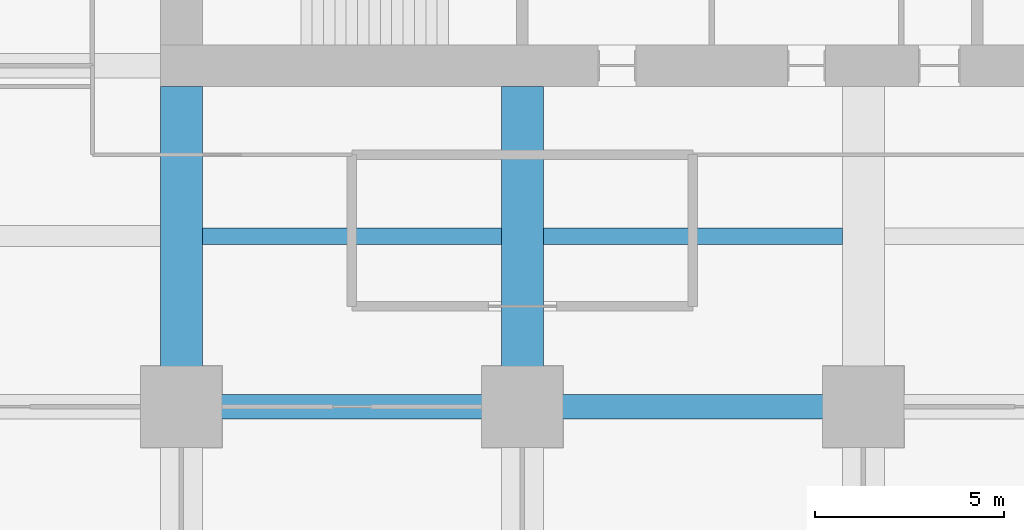
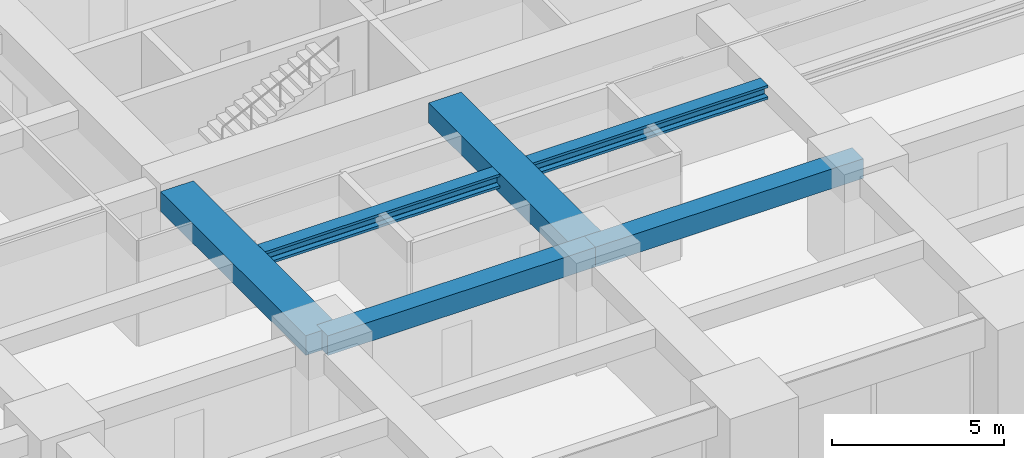
# One storey, part 8 of 44: 6 beams.
"""IFC4 building model written with IfcOpenShell, lengths in metres."""

from ifc_helpers import new_model, si_unit, direction, frame, origin, origin_2d, place, context, subcontext, project, spatial, rectangle, i_section, extrude, material, material_profile, profile_set, type_object, element, save


model = new_model("IFC4")

# Units and contexts
model_context = context("Model", 3, precision=1e-05, world=origin(), true_north=direction((0.0, 1.0)))
body_context = subcontext(model_context, "Body", "Model", "MODEL_VIEW")
ifc_project = project(units=[si_unit("LENGTHUNIT", "METRE"), si_unit("AREAUNIT", "SQUARE_METRE"), si_unit("VOLUMEUNIT", "CUBIC_METRE"), si_unit("PLANEANGLEUNIT", "RADIAN"), si_unit("MASSUNIT", "GRAM", prefix="KILO")], contexts=[model_context])

# Site, building, storey
site_placement = place(None, origin())
site = spatial("IfcSite", under=ifc_project, at=site_placement, CompositionType="ELEMENT")
building_placement = place(site_placement, origin())
building = spatial("IfcBuilding", under=site, at=building_placement, Name="Zorevar Civic Tower", CompositionType="ELEMENT")
storey_placement = place(building_placement, frame((0.0, 0.0, 55.800048828125)))
storey = spatial("IfcBuildingStorey", under=building, at=storey_placement, Name="L13", CompositionType="ELEMENT", Elevation=55.800048828125)

# Beams
ifc_material_1 = material(Name="Concrete C50/60", Category="concrete")
ifc_material_profile_1 = material_profile(ifc_material_1, rectangle(XDim=1.10009765625, YDim=0.699951171875, at=origin_2d()), Name="RC 1100x700")
ifc_profile_set_1 = profile_set([ifc_material_profile_1], Name="Concrete C50/60")
beam_type_1 = type_object("IfcBeamType", Name="Beam RC 1100x700", PredefinedType="BEAM", material=ifc_profile_set_1)
for number, where, z_axis, x_axis, name in (
    (1, (18.0, 9.0, 3.39990234375), (0.0, 1.0, 0.0), (-1.0, 0.0, 0.0), "Girder L14"),
    (2, (27.0, 9.0, 3.39990234375), (0.0, 1.0, 0.0), (-1.0, 0.0, 0.0), "Girder L14"),
):
    element("IfcBeam", number, at=place(storey_placement, frame(where, z_axis=z_axis, x_axis=x_axis)), inside=storey, type_object=beam_type_1, Name=name, PredefinedType="BEAM", context=body_context, shape_type="SweptSolid", body=[
        extrude(rectangle(XDim=1.10009765625, YDim=0.699951171875, at=origin_2d()), origin(), (0.0, 0.0, 1.0), 8.449951171875),
    ])
ifc_material_2 = material(Name="Concrete C50/60", Category="concrete")
ifc_material_profile_2 = material_profile(ifc_material_2, rectangle(XDim=0.64990234375, YDim=0.699951171875, at=origin_2d()), Name="RC 650x700")
ifc_profile_set_2 = profile_set([ifc_material_profile_2], Name="Concrete C50/60")
beam_type_2 = type_object("IfcBeamType", Name="Beam RC 650x700", PredefinedType="BEAM", material=ifc_profile_set_2)
for number, where, z_axis, x_axis, name in (
    (3, (18.0, 9.0, 3.39990234375), (1.0, 0.0, 0.0), (0.0, 1.0, 0.0), "Girder L14"),
    (4, (27.0, 9.0, 3.39990234375), (1.0, 0.0, 0.0), (0.0, 1.0, 0.0), "Girder L14"),
):
    element("IfcBeam", number, at=place(storey_placement, frame(where, z_axis=z_axis, x_axis=x_axis)), inside=storey, type_object=beam_type_2, Name=name, PredefinedType="BEAM", context=body_context, shape_type="SweptSolid", body=[
        extrude(rectangle(XDim=0.64990234375, YDim=0.699951171875, at=origin_2d()), origin(), (0.0, 0.0, 1.0), 9.0),
    ])
ifc_material_3 = material(Name="Steel S460M (HISTAR 460)", Category="steel")
ifc_material_profile_3 = material_profile(ifc_material_3, i_section(OverallWidth=0.431884765625, OverallDepth=0.498046875, WebThickness=0.0556640625, FlangeThickness=0.0888671875, FilletRadius=0.014892578125, at=origin_2d()), Name="HD 400x744")
ifc_profile_set_3 = profile_set([ifc_material_profile_3], Name="Steel S460M (HISTAR 460)")
beam_type_3 = type_object("IfcBeamType", Name="Core bay beam HD 400x744", PredefinedType="BEAM", material=ifc_profile_set_3)
for number, where, z_axis, x_axis, name in (
    (5, (18.550048828125, 13.5, 3.5009765625), (1.0, 0.0, 0.0), (0.0, 1.0, 0.0), "Secondary beam L14"),
    (6, (27.550048828125, 13.5, 3.5009765625), (1.0, 0.0, 0.0), (0.0, 1.0, 0.0), "Secondary beam L14"),
):
    element("IfcBeam", number, at=place(storey_placement, frame(where, z_axis=z_axis, x_axis=x_axis)), inside=storey, type_object=beam_type_3, Name=name, PredefinedType="BEAM", context=body_context, shape_type="SweptSolid", body=[
        extrude(i_section(OverallWidth=0.431884765625, OverallDepth=0.498046875, WebThickness=0.0556640625, FlangeThickness=0.0888671875, FilletRadius=0.014892578125, at=origin_2d()), origin(), (0.0, 0.0, 1.0), 7.89990234375),
    ])

save(model, "model.ifc")
